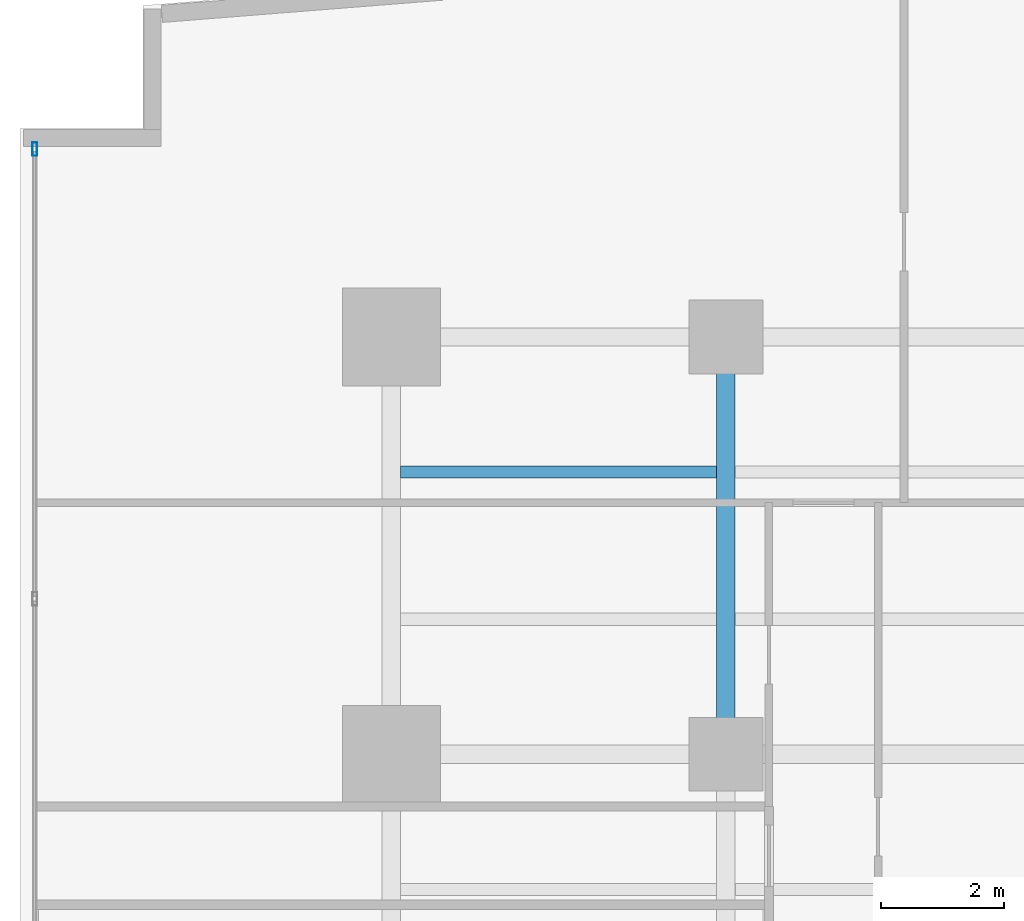
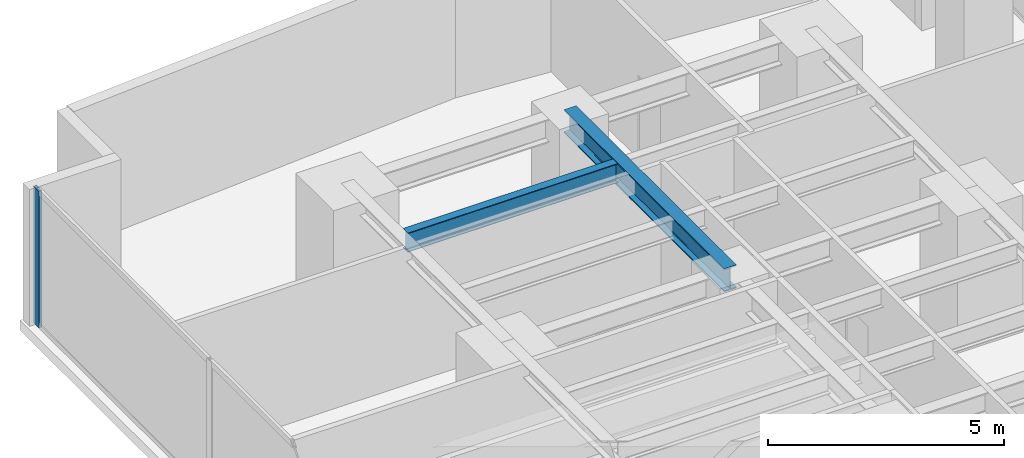
# One storey, part 17 of 30: 2 beams, 1 member, 1 element without a shape of its own.
"""IFC4 building model written with IfcOpenShell, lengths in metres."""

from ifc_helpers import new_model, si_unit, direction, frame, origin, origin_with_axes, origin_2d, place, context, subcontext, project, spatial, hollow_rectangle, i_section, extrude, source, transform, mapped, material, layer, layer_set, material_profile, profile_set, type_object, element, aggregate, save


model = new_model("IFC4")

# Units and contexts
model_context = context("Model", 3, precision=1e-05, world=origin(), true_north=direction((0.0, 1.0)))
body_context = subcontext(model_context, "Body", "Model", "MODEL_VIEW")
ifc_project = project(units=[si_unit("LENGTHUNIT", "METRE"), si_unit("AREAUNIT", "SQUARE_METRE"), si_unit("VOLUMEUNIT", "CUBIC_METRE"), si_unit("PLANEANGLEUNIT", "RADIAN"), si_unit("MASSUNIT", "GRAM", prefix="KILO")], contexts=[model_context])

# Site, building, storey
site_placement = place(None, origin())
site = spatial("IfcSite", under=ifc_project, at=site_placement, CompositionType="ELEMENT")
building_placement = place(site_placement, origin())
building = spatial("IfcBuilding", under=site, at=building_placement, Name="Kolvaren Waterfront Exchange", CompositionType="ELEMENT")
storey_placement = place(building_placement, frame((0.0, 0.0, 52.39990234375)))
storey = spatial("IfcBuildingStorey", under=building, at=storey_placement, Name="L13", CompositionType="ELEMENT", Elevation=52.39990234375)

# Beams
ifc_material_1 = material(Name="Steel S355", Category="steel")
ifc_material_profile_1 = material_profile(ifc_material_1, i_section(OverallWidth=0.300048828125, OverallDepth=0.60009765625, WebThickness=0.015380859375, FlangeThickness=0.030029296875, FilletRadius=0.027099609375, at=origin_2d()), Name="HEB600")
ifc_profile_set_1 = profile_set([ifc_material_profile_1], Name="Steel S355")
beam_type_1 = type_object("IfcBeamType", Name="STR-BM-HEB600", PredefinedType="BEAM", material=ifc_profile_set_1)
beam_1_placement = place(storey_placement, frame((12.89990234375, 37.800048828125, 3.239990234375), z_axis=(0.0, 1.0, 0.0), x_axis=(-1.0, 0.0, 0.0)))
element("IfcBeam", 1, at=beam_1_placement, inside=storey, type_object=beam_type_1, Name="L13 north-arm edge beam 3", PredefinedType="BEAM", context=body_context, shape_type="SweptSolid", body=[
    extrude(i_section(OverallWidth=0.300048828125, OverallDepth=0.60009765625, WebThickness=0.015380859375, FlangeThickness=0.030029296875, FilletRadius=0.027099609375, at=origin_2d()), origin(), (0.0, 0.0, 1.0), 6.800048828125),
])
ifc_material_profile_2 = material_profile(ifc_material_1, i_section(OverallWidth=0.199951171875, OverallDepth=0.5, WebThickness=0.01025390625, FlangeThickness=0.01611328125, FilletRadius=0.02099609375, at=origin_2d()), Name="IPE500")
ifc_profile_set_2 = profile_set([ifc_material_profile_2], Name="Steel S355")
beam_type_2 = type_object("IfcBeamType", Name="STR-BM-IPE500", PredefinedType="JOIST", material=ifc_profile_set_2)
beam_2_placement = place(storey_placement, frame((7.60205078125, 42.39990234375, 3.2900390625), z_axis=(1.0, 0.0, 0.0), x_axis=(0.0, 1.0, 0.0)))
element("IfcBeam", 2, at=beam_2_placement, inside=storey, type_object=beam_type_2, Name="L13 north-arm composite joist 6A", PredefinedType="JOIST", context=body_context, shape_type="SweptSolid", body=[
    extrude(i_section(OverallWidth=0.199951171875, OverallDepth=0.5, WebThickness=0.01025390625, FlangeThickness=0.01611328125, FilletRadius=0.02099609375, at=origin_2d()), origin(), (0.0, 0.0, 1.0), 5.14599609375),
])

# Curtain wall, member
ifc_material_2 = material(Name="Anodised aluminium 6063-T6", Category="aluminium")
ifc_layer = layer(ifc_material_2, 0.219970703125, Name="Anodised aluminium 6063-T6")
ifc_layer_set = layer_set([ifc_layer], Name="Anodised aluminium 6063-T6")
curtain_wall_type = type_object("IfcCurtainWallType", Name="ARC-CW-SYS2", PredefinedType="USERDEFINED", material=ifc_layer_set)
curtain_wall_placement = place(storey_placement, origin())
curtain_wall = element("IfcCurtainWall", 3, at=curtain_wall_placement, inside=storey, type_object=curtain_wall_type, Name="L13 stick curtain wall CW2 (CW-L13-W)", ObjectType="STICK CURTAIN WALL", PredefinedType="USERDEFINED")
ifc_material_profile_3 = material_profile(ifc_material_2, hollow_rectangle(XDim=0.080078125, YDim=0.219970703125, WallThickness=0.0048828125, at=origin_2d()), Name="ALU-MUL-220x80x5")
ifc_profile_set_3 = profile_set([ifc_material_profile_3], Name="Anodised aluminium 6063-T6")
member_type = type_object("IfcMemberType", Name="ARC-CWM-220", PredefinedType="MULLION", material=ifc_profile_set_3)
shared_shape = source(origin_with_axes(), body_context, "Body", "SweptSolid", [
    extrude(hollow_rectangle(XDim=0.080078125, YDim=0.219970703125, WallThickness=0.0048828125, at=origin_2d()), origin(), (0.0, 0.0, 1.0), 3.5400390625),
])
member_placement = place(storey_placement, frame((1.639892578125, 47.659912109375, 0.0), z_axis=(0.0, 0.0, 1.0), x_axis=(-1.0, 0.0, 0.0)))
member = element("IfcMember", 4, at=member_placement, type_object=member_type, Name="CW2 mullion 7", PredefinedType="MULLION", context=body_context, shape_type="MappedRepresentation", body=[
    mapped(shared_shape, transform((0.0, 0.0, 0.0), x_axis=(1.0, 0.0, 0.0), y_axis=(0.0, 1.0, 0.0), z_axis=(0.0, 0.0, 1.0), scale=1.0)),
])
aggregate(curtain_wall, [member])

save(model, "model.ifc")
